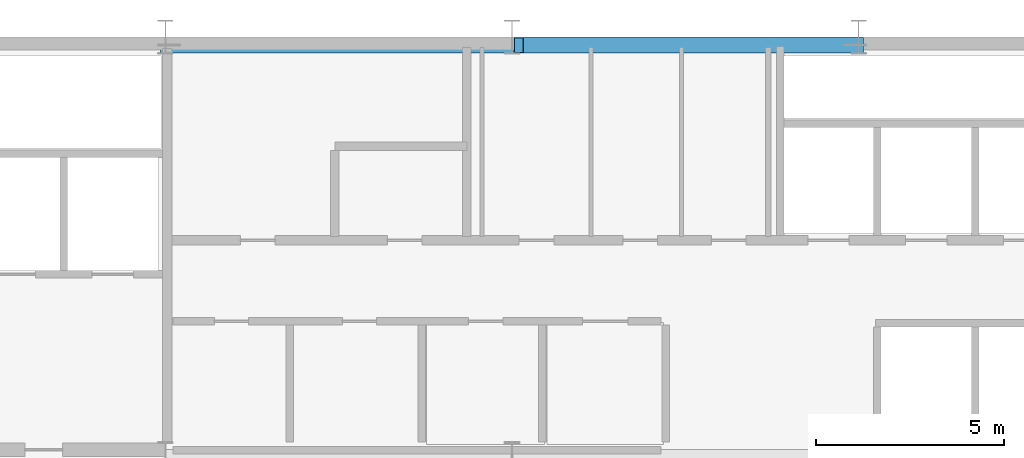
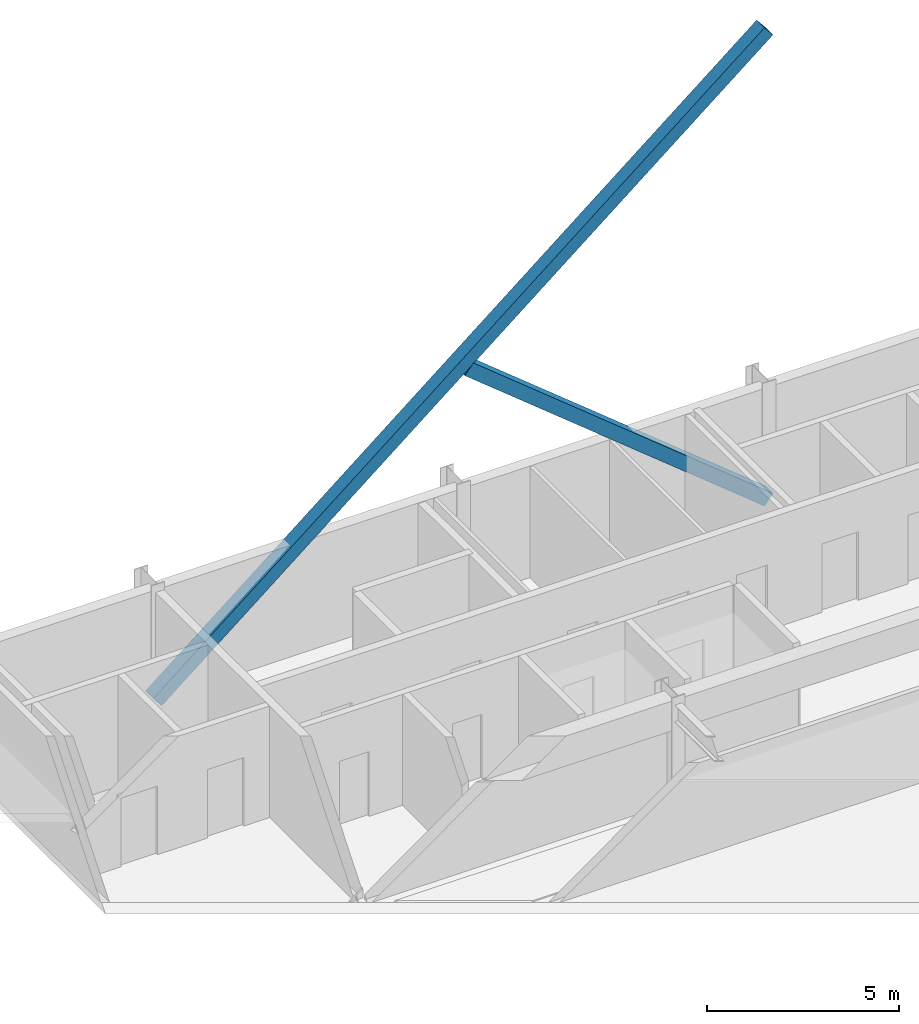
# One storey, part 16 of 25: 2 members.
"""IFC4 building model written with IfcOpenShell, lengths in metres."""

from ifc_helpers import new_model, si_unit, direction, frame, origin, origin_2d, place, context, subcontext, project, spatial, hollow_rectangle, extrude, source, transform, mapped, material, material_profile, profile_set, type_object, type_shapes, element, save


model = new_model("IFC4")

# Units and contexts
model_context = context("Model", 3, precision=1e-05, world=origin(), true_north=direction((0.0, 1.0)))
body_context = subcontext(model_context, "Body", "Model", "MODEL_VIEW")
ifc_project = project(units=[si_unit("LENGTHUNIT", "METRE"), si_unit("AREAUNIT", "SQUARE_METRE"), si_unit("VOLUMEUNIT", "CUBIC_METRE"), si_unit("PLANEANGLEUNIT", "RADIAN"), si_unit("MASSUNIT", "GRAM", prefix="KILO")], contexts=[model_context])

# Site, building, storey
site_placement = place(None, origin())
site = spatial("IfcSite", under=ifc_project, at=site_placement, CompositionType="ELEMENT")
building_placement = place(site_placement, origin())
building = spatial("IfcBuilding", under=site, at=building_placement, Name="Varnel Quay Broadcast Tower", CompositionType="ELEMENT")
storey_placement = place(building_placement, frame((0.0, 0.0, 273.60009765625)))
storey = spatial("IfcBuildingStorey", under=building, at=storey_placement, Name="L68", CompositionType="ELEMENT", Elevation=273.60009765625)

# Members
ifc_material = material(Name="Structural Steel CSA G40.21 350W", Category="steel")
ifc_material_profile = material_profile(ifc_material, hollow_rectangle(XDim=0.406005859375, YDim=0.406005859375, WallThickness=0.01611328125, at=origin_2d()), Name="HSS406X406X16")
ifc_profile_set = profile_set([ifc_material_profile], Name="Structural Steel CSA G40.21 350W")
member_type = type_object("IfcMemberType", Name="Brace_HSS406X406X16", PredefinedType="BRACE", material=ifc_profile_set)
shared_shape_1 = source(origin(), body_context, "Body", "SweptSolid", [
    extrude(hollow_rectangle(XDim=0.406005859375, YDim=0.406005859375, WallThickness=0.01611328125, at=origin_2d()), origin(), (0.0, 0.0, 1.0), 23.6826171875),
])
member_1_placement = place(storey_placement, frame((24.800048828125, 46.580078125, 0.02001953125), z_axis=(0.77694013059, 0.0, 0.629574486045), x_axis=(0.0, 1.0, 0.0)))
element("IfcMember", 1, at=member_1_placement, inside=storey, type_object=member_type, Name="Zone 5 Mega-Brace N-CT2 Continuous Diag A", PredefinedType="BRACE", context=body_context, shape_type="MappedRepresentation", body=[
    mapped(shared_shape_1, transform((0.0, 0.0, 0.0), x_axis=(1.0, 0.0, 0.0), y_axis=(0.0, 1.0, 0.0), z_axis=(0.0, 0.0, 1.0), scale=1.0)),
])
shared_shape_2 = source(origin(), body_context, "Body", "SweptSolid", [
    extrude(hollow_rectangle(XDim=0.406005859375, YDim=0.406005859375, WallThickness=0.01611328125, at=origin_2d()), origin(), (0.0, 0.0, 1.0), 11.608642578125),
])
type_shapes(member_type, [shared_shape_1, shared_shape_2])
member_2_placement = place(storey_placement, frame((43.199951171875, 46.580078125, 0.02001953125), z_axis=(-0.776938680611, 0.0, 0.629576275418), x_axis=(0.0, -1.0, 0.0)))
element("IfcMember", 2, at=member_2_placement, inside=storey, type_object=member_type, Name="Zone 5 Mega-Brace N-CT2 Split Diag B1", PredefinedType="BRACE", context=body_context, shape_type="MappedRepresentation", body=[
    mapped(shared_shape_2, transform((0.0, 0.0, 0.0), x_axis=(1.0, 0.0, 0.0), y_axis=(0.0, 1.0, 0.0), z_axis=(0.0, 0.0, 1.0), scale=1.0)),
])

save(model, "model.ifc")
